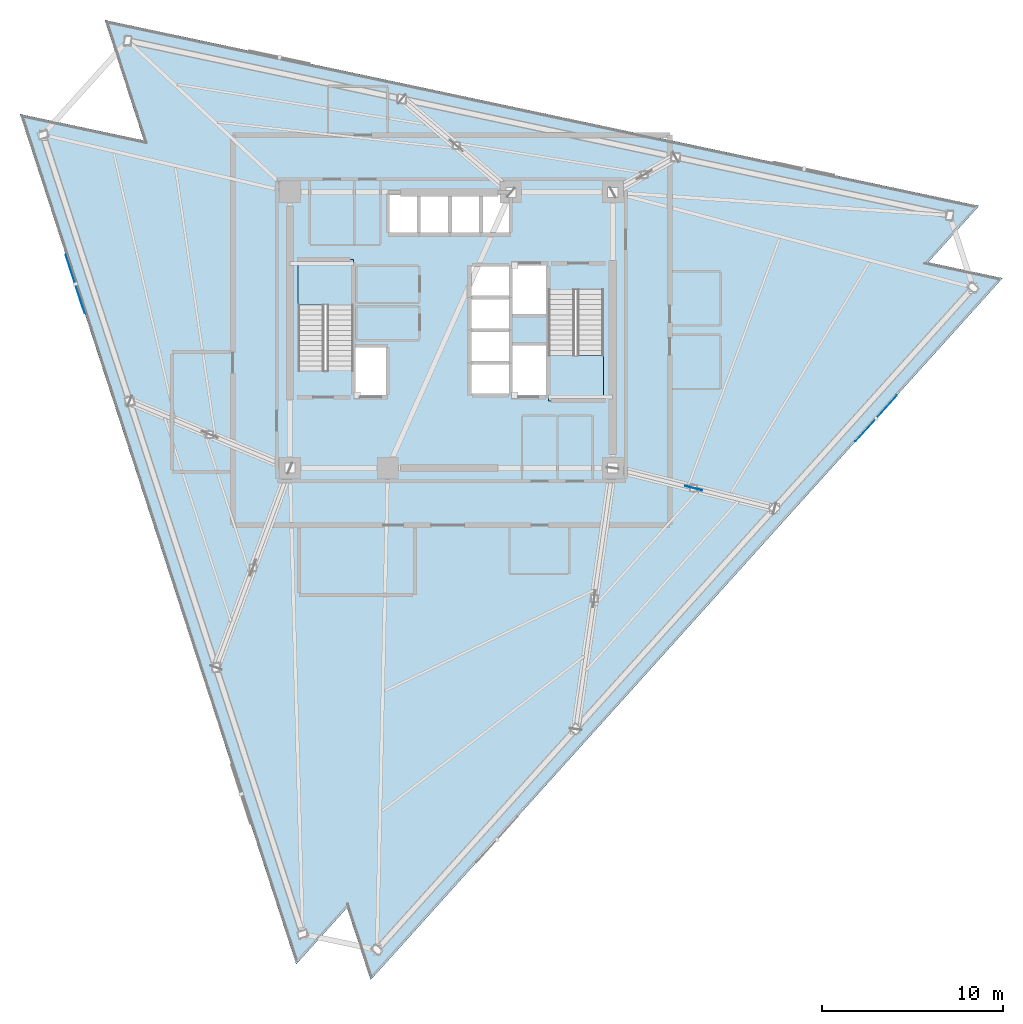
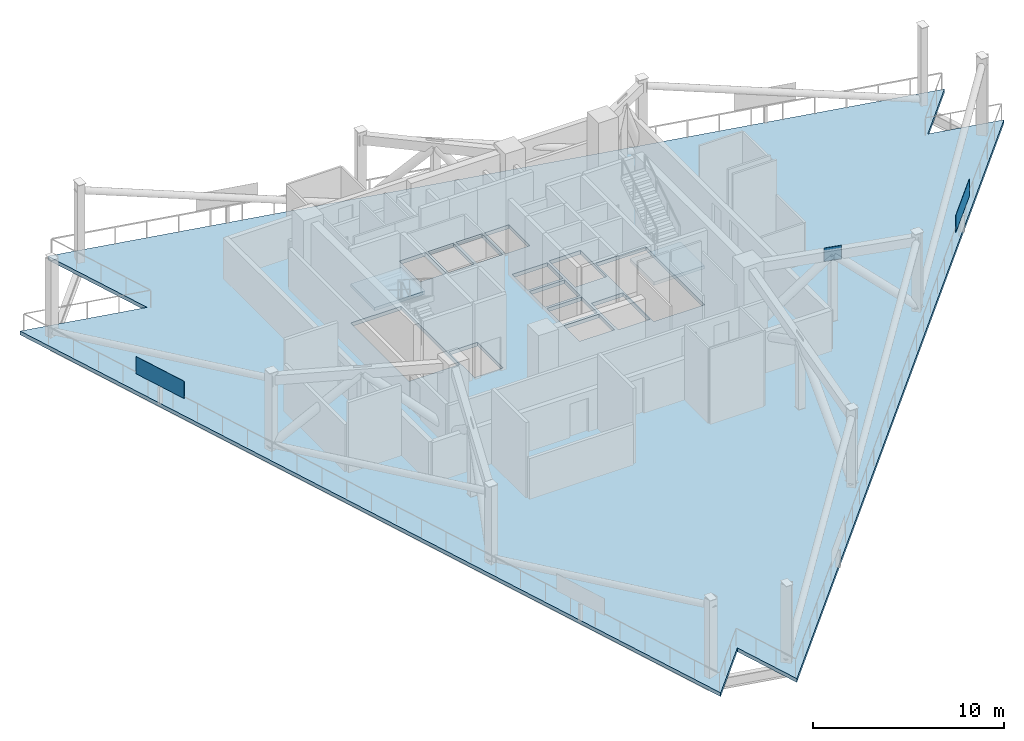
# One storey, part 4 of 15: 3 plates, 3 slabs, 2 elements without a shape of their own.
"""IFC4 building model written with IfcOpenShell, lengths in metres."""

from ifc_helpers import new_model, si_unit, direction, frame, origin, origin_2d, place, context, subcontext, project, spatial, polyline, rectangle, outline, extrude, material, layer, layer_set, type_object, element, aggregate, save


model = new_model("IFC4")

# Units and contexts
model_context = context("Model", 3, precision=1e-05, world=origin(), true_north=direction((0.0, 1.0)))
body_context = subcontext(model_context, "Body", "Model", "MODEL_VIEW")
ifc_project = project(units=[si_unit("LENGTHUNIT", "METRE"), si_unit("AREAUNIT", "SQUARE_METRE"), si_unit("VOLUMEUNIT", "CUBIC_METRE"), si_unit("PLANEANGLEUNIT", "RADIAN"), si_unit("MASSUNIT", "GRAM", prefix="KILO")], contexts=[model_context])

# Site, building, storey
site_placement = place(None, origin())
site = spatial("IfcSite", under=ifc_project, at=site_placement, CompositionType="ELEMENT")
building_placement = place(site_placement, origin())
building = spatial("IfcBuilding", under=site, at=building_placement, Name="Tharavind Bronze Gate", CompositionType="ELEMENT")
storey_placement = place(building_placement, frame((0.0, 0.0, 222.050048828125)))
storey = spatial("IfcBuildingStorey", under=building, at=storey_placement, Name="L57", CompositionType="ELEMENT", Elevation=222.050048828125)

# Plates
ifc_material_1 = material(Name="Perforated Bronze Alloy", Category="bronze")
ifc_layer_1 = layer(ifc_material_1, 0.011962890625)
ifc_layer_set_1 = layer_set([ifc_layer_1], Name="Perforated Bronze Alloy")
plate_type_1 = type_object("IfcPlateType", Name="BRONZE PERFORATED SOLAR SCREEN", PredefinedType="USERDEFINED", material=ifc_layer_set_1)
for number, where, z_axis, x_axis, name in (
    (1, (-20.733154296875, 2.54052734375, 1.099853515625), (0.0, 0.0, 1.0), (0.309016994375, -0.951056516295, 0.0), "L57 wind floor acoustic bronze baffle 1.1"),
    (2, (23.4208984375, -4.8671875, 1.099853515625), (0.0, 0.0, 1.0), (0.669130606359, 0.743144825477, 0.0), "L57 wind floor acoustic bronze baffle 2.2"),
):
    element("IfcPlate", number, at=place(storey_placement, frame(where, z_axis=z_axis, x_axis=x_axis)), inside=storey, type_object=plate_type_1, Name=name, ObjectType="SCREEN", PredefinedType="USERDEFINED", context=body_context, shape_type="SweptSolid", body=[
        extrude(rectangle(XDim=3.39990234375, YDim=0.011962890625, at=origin_2d()), origin(), (0.0, 0.0, 1.0), 1.10009765625),
    ])

# Stair, slab
ifc_material_2 = material(Name="Concrete C40/50", Category="concrete")
stair_type = type_object("IfcStairType", Name="CORE HALF TURN STAIR 1450", PredefinedType="HALF_TURN_STAIR", material=ifc_material_2)
stair_1_placement = place(storey_placement, origin())
stair_1 = element("IfcStair", 3, at=stair_1_placement, inside=storey, type_object=stair_type, Name="L57 Protected Exit Stair ST1", PredefinedType="HALF_TURN_STAIR")
ifc_layer_2 = layer(ifc_material_2, 0.199951171875)
ifc_layer_set_2 = layer_set([ifc_layer_2], Name="Concrete C40/50")
slab_type_1 = type_object("IfcSlabType", Name="STAIR LANDING SLAB 200", PredefinedType="LANDING", material=ifc_layer_set_2)
slab_1_placement = place(storey_placement, frame((0.0, 0.0, 2.300048828125)))
slab_1 = element("IfcSlab", 4, at=slab_1_placement, type_object=slab_type_1, Name="ST1 landing 1", PredefinedType="LANDING", context=body_context, shape_type="SweptSolid", body=[
    extrude(outline(polyline([(-5.39990234375, 1.389892578125), (-5.39990234375, 3.89990234375), (-8.449951171875, 3.89990234375), (-8.449951171875, 1.389892578125), (-5.39990234375, 1.389892578125)])), origin(), (0.0, 0.0, 1.0), 0.199951171875),
])
aggregate(stair_1, [slab_1])

stair_2_placement = place(storey_placement, origin())
stair_2 = element("IfcStair", 5, at=stair_2_placement, inside=storey, type_object=stair_type, Name="L57 Protected Exit Stair ST2", PredefinedType="HALF_TURN_STAIR")
slab_2_placement = place(storey_placement, frame((0.0, 0.0, 2.300048828125)))
slab_2 = element("IfcSlab", 6, at=slab_2_placement, type_object=slab_type_1, Name="ST2 landing 1", PredefinedType="LANDING", context=body_context, shape_type="SweptSolid", body=[
    extrude(outline(polyline([(5.35009765625, -1.389892578125), (5.35009765625, -3.89990234375), (8.39990234375, -3.89990234375), (8.39990234375, -1.389892578125), (5.35009765625, -1.389892578125)])), origin(), (0.0, 0.0, 1.0), 0.199951171875),
])
aggregate(stair_2, [slab_2])

# Plate
ifc_material_3 = material(Name="Steel S460", Category="steel")
ifc_layer_3 = layer(ifc_material_3, 0.028076171875)
ifc_layer_set_3 = layer_set([ifc_layer_3], Name="Steel S460")
plate_type_2 = type_object("IfcPlateType", Name="STEEL NODE GUSSET PLATE 28", PredefinedType="USERDEFINED", material=ifc_layer_set_3)
plate_placement = place(storey_placement, frame((13.357421875, -8.711181640625, 4.034912109375), z_axis=(0.0, 0.0, 1.0), x_axis=(-0.970297837406, 0.241913428163, 0.0)))
element("IfcPlate", 7, at=plate_placement, inside=storey, type_object=plate_type_2, Name="Node N3 outrigger truss gusset plate 4", ObjectType="GUSSET PLATE", PredefinedType="USERDEFINED", context=body_context, shape_type="SweptSolid", body=[
    extrude(rectangle(XDim=0.949951171875, YDim=0.028076171875, at=origin_2d()), origin(), (0.0, 0.0, 1.0), 0.85009765625),
])

# Slab
ifc_layer_4 = layer(ifc_material_2, 0.239990234375)
ifc_layer_set_4 = layer_set([ifc_layer_4], Name="Concrete C40/50")
slab_type_2 = type_object("IfcSlabType", Name="STRUCTURAL FLOOR SLAB 240", PredefinedType="FLOOR", material=ifc_layer_set_4)
slab_3_placement = place(storey_placement, frame((0.0, 0.0, -0.239990234375)))
element("IfcSlab", 8, at=slab_3_placement, inside=storey, type_object=slab_type_2, Name="L57 main structural floor slab", PredefinedType="FLOOR", context=body_context, shape_type="SweptSolid", body=[
    extrude(outline(polyline([(-19.1083984375, 17.101318359375), (-16.951416015625, 10.463134765625), (-23.77880859375, 11.914306640625), (-8.55029296875, -34.954345703125), (-5.748046875, -31.842041015625), (-4.453857421875, -35.8251953125), (30.3896484375, 2.872314453125), (26.293212890625, 3.7431640625), (29.095458984375, 6.85546875), (-19.1083984375, 17.101318359375)]), holes=[polyline([(-5.39990234375, -2.215087890625), (-5.39990234375, 3.89990234375), (-8.449951171875, 3.89990234375), (-8.449951171875, -2.215087890625), (-5.39990234375, -2.215087890625)]), polyline([(5.35009765625, 2.215087890625), (5.35009765625, -3.89990234375), (8.39990234375, -3.89990234375), (8.39990234375, 2.215087890625), (5.35009765625, 2.215087890625)]), polyline([(-3.419921875, 5.330078125), (-1.867431640625, 5.330078125), (-1.867431640625, 7.52001953125), (-3.419921875, 7.52001953125), (-3.419921875, 5.330078125)]), polyline([(-1.70751953125, 5.330078125), (-0.155029296875, 5.330078125), (-0.155029296875, 7.52001953125), (-1.70751953125, 7.52001953125), (-1.70751953125, 5.330078125)]), polyline([(0.0048828125, 5.330078125), (1.5576171875, 5.330078125), (1.5576171875, 7.52001953125), (0.0048828125, 7.52001953125), (0.0048828125, 5.330078125)]), polyline([(1.717529296875, 5.330078125), (3.199951171875, 5.330078125), (3.199951171875, 7.52001953125), (1.717529296875, 7.52001953125), (1.717529296875, 5.330078125)]), polyline([(1.080078125, -3.52001953125), (3.199951171875, -3.52001953125), (3.199951171875, -1.8798828125), (1.080078125, -1.8798828125), (1.080078125, -3.52001953125)]), polyline([(1.080078125, -1.719970703125), (3.199951171875, -1.719970703125), (3.199951171875, -0.080078125), (1.080078125, -0.080078125), (1.080078125, -1.719970703125)]), polyline([(1.080078125, 0.080078125), (3.199951171875, 0.080078125), (3.199951171875, 1.719970703125), (1.080078125, 1.719970703125), (1.080078125, 0.080078125)]), polyline([(1.080078125, 1.8798828125), (3.199951171875, 1.8798828125), (3.199951171875, 3.52001953125), (1.080078125, 3.52001953125), (1.080078125, 1.8798828125)]), polyline([(-5.320068359375, -3.6201171875), (-3.580078125, -3.6201171875), (-3.580078125, -0.929931640625), (-5.320068359375, -0.929931640625), (-5.320068359375, -3.6201171875)]), polyline([(3.360107421875, 0.8798828125), (5.27001953125, 0.8798828125), (5.27001953125, 3.6201171875), (3.360107421875, 3.6201171875), (3.360107421875, 0.8798828125)]), polyline([(3.360107421875, -3.6201171875), (5.27001953125, -3.6201171875), (5.27001953125, -0.830078125), (3.360107421875, -0.830078125), (3.360107421875, -3.6201171875)])]), origin(), (0.0, 0.0, 1.0), 0.239990234375),
])

save(model, "model.ifc")
